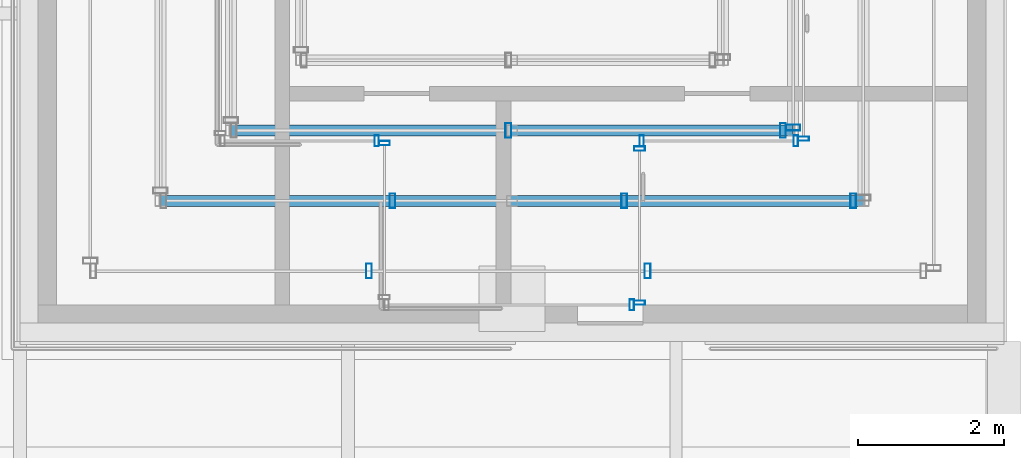
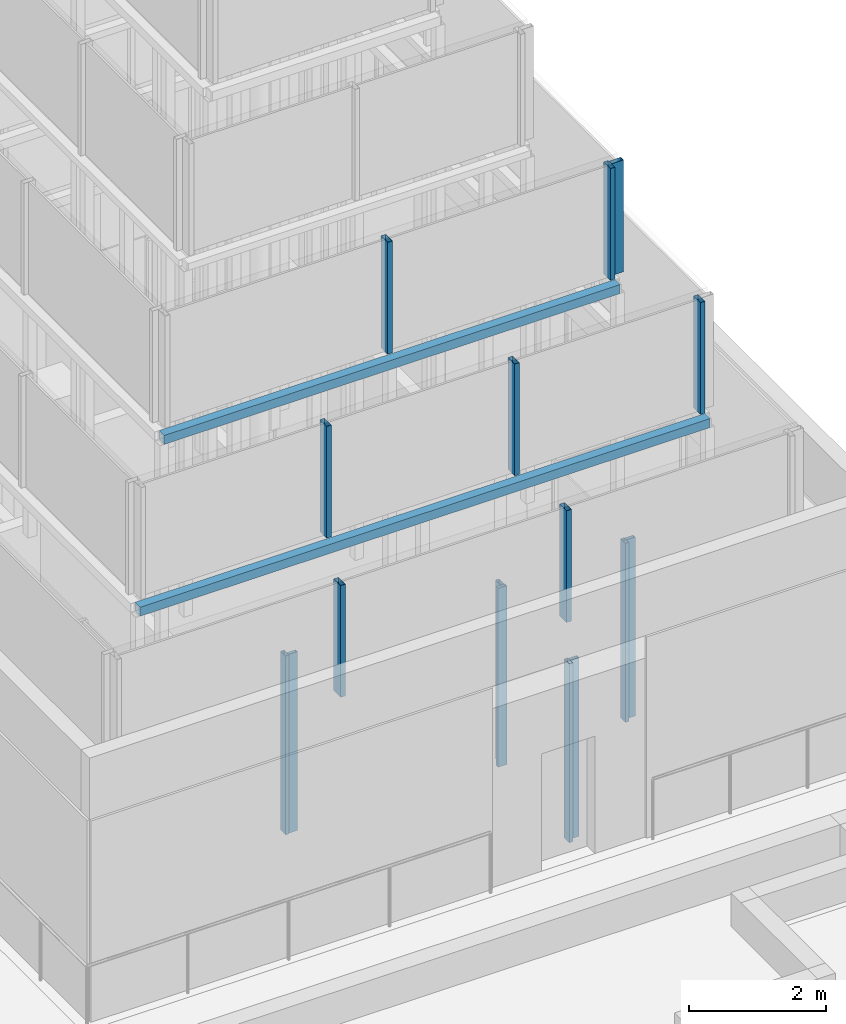
# One storey, part 35 of 62: 16 members, 2 beams, 10 elements without a shape of their own.
"""IFC4 building model written with IfcOpenShell, lengths in metres."""

import ifcopenshell
import ifcopenshell.guid

model = None  # the IFC model being written
_history = None  # IfcOwnerHistory: only IFC2X3 demands one
_inside = {}  # id of a spatial element -> (the spatial element, [elements in it])
_under = {}  # id of a project, library or spatial element -> (it, [spatial elements below it])
_declared = {}  # id of a project -> (the project, [libraries it declares])
_typed = {}  # id of a type object -> (the type object, [elements of that type])
_made_of = {}  # id of a material, layer set ... -> (it, [elements and type objects made of it])


def new_model(schema):
    """Start an empty IFC model of exactly this schema.

    Asked for "IFC4X3", IfcOpenShell would pick the latest addendum, in which some entities
    have other attributes; the version numbers below select the first issue.
    IFC2X3 requires an IfcOwnerHistory on every rooted entity: one is made here for all.
    """
    global model, _history
    if schema == "IFC4X3":
        model = ifcopenshell.file(schema_version=(4, 3, 0, 0))
    else:
        model = ifcopenshell.file(schema=schema)
    _inside.clear()
    _under.clear()
    _declared.clear()
    _typed.clear()
    _made_of.clear()
    _history = None
    if model.schema == "IFC2X3":
        org = make("IfcOrganization", Name="unknown")
        user = make(
            "IfcPersonAndOrganization",
            ThePerson=make("IfcPerson", FamilyName="unknown"),
            TheOrganization=org,
        )
        app = make(
            "IfcApplication",
            ApplicationDeveloper=org,
            Version="unknown",
            ApplicationFullName="unknown",
            ApplicationIdentifier="unknown",
        )
        _history = make(
            "IfcOwnerHistory",
            OwningUser=user,
            OwningApplication=app,
            ChangeAction="ADDED",
            CreationDate=0,
        )
    return model


def make(cls, **values):
    """One entity of the class cls with the attributes given. An attribute that is None is left unset."""
    return model.create_entity(
        cls, **{name: value for name, value in values.items() if value is not None}
    )


def rooted(cls, **values):
    """An entity with a GlobalId (a new one), such as an element, a storey or a relation."""
    return make(cls, GlobalId=ifcopenshell.guid.new(), OwnerHistory=_history, **values)


def si_unit(unit_type, name, prefix=None):
    """IfcSIUnit, for example si_unit("LENGTHUNIT", "METRE", prefix="MILLI")."""
    return make("IfcSIUnit", UnitType=unit_type, Prefix=prefix, Name=name)


def assignment(units):
    """IfcUnitAssignment: the units of a project."""
    return None if units is None else make("IfcUnitAssignment", Units=units)


def point(xyz):
    """IfcCartesianPoint."""
    return None if xyz is None else make("IfcCartesianPoint", Coordinates=xyz)


def direction(xyz):
    """IfcDirection."""
    return None if xyz is None else make("IfcDirection", DirectionRatios=xyz)


def frame(location, z_axis=None, x_axis=None):
    """IfcAxis2Placement3D, a coordinate frame: its origin and axes. An axis left out is left unset."""
    return make(
        "IfcAxis2Placement3D",
        Location=point(location),
        Axis=direction(z_axis),
        RefDirection=direction(x_axis),
    )


def frame_2d(location, x_axis=None):
    """IfcAxis2Placement2D, a coordinate frame in the plane: its origin and x axis."""
    return make(
        "IfcAxis2Placement2D", Location=point(location), RefDirection=direction(x_axis)
    )


def origin():
    """The frame at (0, 0, 0) with its axes left unset."""
    return frame((0.0, 0.0, 0.0))


def origin_2d():
    """The frame at (0, 0) in the plane with its x axis left unset."""
    return frame_2d((0.0, 0.0))


def place(relative_to, where):
    """IfcLocalPlacement: puts the frame where relative to a parent placement (None: the world)."""
    return make(
        "IfcLocalPlacement", PlacementRelTo=relative_to, RelativePlacement=where
    )


def context(
    kind, dimensions, precision=None, world=None, true_north=None, identifier=None
):
    """IfcGeometricRepresentationContext, for example the 3D "Model" context."""
    return make(
        "IfcGeometricRepresentationContext",
        ContextIdentifier=identifier,
        ContextType=kind,
        CoordinateSpaceDimension=dimensions,
        Precision=precision,
        WorldCoordinateSystem=world,
        TrueNorth=true_north,
    )


def subcontext(parent, identifier, kind, view, scale=None):
    """IfcGeometricRepresentationSubContext, for example "Body" below "Model"."""
    return make(
        "IfcGeometricRepresentationSubContext",
        ContextIdentifier=identifier,
        ContextType=kind,
        ParentContext=parent,
        TargetScale=scale,
        TargetView=view,
    )


def project(units=None, contexts=None):
    """IfcProject with its units and contexts."""
    return rooted(
        "IfcProject",
        Name="project",
        RepresentationContexts=contexts,
        UnitsInContext=assignment(units),
    )


def spatial(cls, under=None, at=None, **own):
    """A site, building, storey or space (cls), placed at a placement, below another one or the project."""
    s = rooted(cls, ObjectPlacement=at, **own)
    if under is not None:
        _under.setdefault(under.id(), (under, []))[1].append(s)
    return s


def profile(cls, at=None, kind="AREA", **sizes):
    """A parametric profile (cls). Its sizes go by their IFC names, for example OverallWidth=200.0."""
    return make(cls, ProfileType=kind, Position=at, **sizes)


def hollow_rectangle(**sizes):
    """IfcRectangleHollowProfileDef."""
    return profile("IfcRectangleHollowProfileDef", **sizes)


def extrude(swept, where, along, depth):
    """IfcExtrudedAreaSolid: the profile swept, set in the frame where, extruded along a direction by depth."""
    return make(
        "IfcExtrudedAreaSolid",
        SweptArea=swept,
        Position=where,
        ExtrudedDirection=direction(along),
        Depth=depth,
    )


def shape(context_of_items, identifier, shape_type, items):
    """IfcShapeRepresentation: the items that make up one representation, for example the "Body"."""
    return make(
        "IfcShapeRepresentation",
        ContextOfItems=context_of_items,
        RepresentationIdentifier=identifier,
        RepresentationType=shape_type,
        Items=items,
    )


def material(Name=None, Category=None):
    """IfcMaterial."""
    return make("IfcMaterial", Name=Name, Category=Category)


def material_profile(
    of_material, cross_section, Name=None, Category=None, Priority=None
):
    """IfcMaterialProfile: a cross section and its material."""
    return make(
        "IfcMaterialProfile",
        Name=Name,
        Material=of_material,
        Profile=cross_section,
        Priority=Priority,
        Category=Category,
    )


def profile_set(profiles, Name=None, composite=None):
    """IfcMaterialProfileSet."""
    return make(
        "IfcMaterialProfileSet",
        Name=Name,
        MaterialProfiles=profiles,
        CompositeProfile=composite,
    )


def made_of(thing, what):
    """Note that an element or type object is made of a material, layer set ...; save() writes the relation."""
    if what is not None:
        _made_of.setdefault(what.id(), (what, []))[1].append(thing)
    return thing


def type_object(cls, material=None, **own):
    """A type object (cls), such as IfcWallType, which elements share."""
    return made_of(rooted(cls, **own), material)


def element(
    cls,
    number,
    at=None,
    inside=None,
    cuts=None,
    type_object=None,
    material=None,
    context=None,
    identifier="Body",
    shape_type=None,
    held_by="IfcProductDefinitionShape",
    body=None,
    shapes=None,
    **own,
):
    """One element of the class cls, such as IfcWall. Its Tag is "e" and its number.

    at: its placement. inside: the storey or other place that contains it. cuts: it is an
    opening in that element (IfcRelVoidsElement). A single representation is given by context,
    identifier, shape_type and body (its items); several are given by shapes. held_by: the class
    of the entity that holds the representations. save() writes the other relations.
    """
    e = rooted(cls, Tag="e%d" % number, ObjectPlacement=at, **own)
    if body is not None:
        shapes = [shape(context, identifier, shape_type, body)]
    if shapes is not None:
        e.Representation = make(held_by, Representations=shapes)
    if inside is not None:
        _inside.setdefault(inside.id(), (inside, []))[1].append(e)
    if cuts is not None:
        rooted(
            "IfcRelVoidsElement", RelatingBuildingElement=cuts, RelatedOpeningElement=e
        )
    if type_object is not None:
        _typed.setdefault(type_object.id(), (type_object, []))[1].append(e)
    return made_of(e, material)


def aggregate(whole, parts):
    """IfcRelAggregates: a whole, such as a stair, and the parts it consists of."""
    return rooted("IfcRelAggregates", RelatingObject=whole, RelatedObjects=parts)


def save(model, path):
    """Write the relations noted so far, then the file.

    IfcRelAggregates (storeys below a building ...), IfcRelContainedInSpatialStructure (elements
    in a storey), IfcRelDefinesByType, IfcRelAssociatesMaterial and IfcRelDeclares: one each for
    every whole, place, type object, material and project.
    """
    for whole, parts in _under.values():
        aggregate(whole, parts)
    for where, things in _inside.values():
        rooted(
            "IfcRelContainedInSpatialStructure",
            RelatedElements=things,
            RelatingStructure=where,
        )
    for kind, things in _typed.values():
        rooted("IfcRelDefinesByType", RelatedObjects=things, RelatingType=kind)
    for what, things in _made_of.values():
        rooted("IfcRelAssociatesMaterial", RelatedObjects=things, RelatingMaterial=what)
    for by, libraries in _declared.values():
        rooted("IfcRelDeclares", RelatingContext=by, RelatedDefinitions=libraries)
    model.write(path)


model = new_model("IFC4")

# Units and contexts
model_context = context("Model", 3, precision=1e-05, world=origin(), true_north=direction((0.0, 1.0)))
body_context = subcontext(model_context, "Body", "Model", "MODEL_VIEW")
ifc_project = project(units=[si_unit("LENGTHUNIT", "METRE"), si_unit("AREAUNIT", "SQUARE_METRE"), si_unit("VOLUMEUNIT", "CUBIC_METRE"), si_unit("PLANEANGLEUNIT", "RADIAN"), si_unit("MASSUNIT", "GRAM", prefix="KILO")], contexts=[model_context])

# Site, building, storey
site_placement = place(None, origin())
site = spatial("IfcSite", under=ifc_project, at=site_placement, CompositionType="ELEMENT")
building_placement = place(site_placement, origin())
building = spatial("IfcBuilding", under=site, at=building_placement, Name="Altepetl Exchange Towers", CompositionType="ELEMENT")
storey_placement = place(building_placement, frame((0.0, 0.0, 210.0)))
storey = spatial("IfcBuildingStorey", under=building, at=storey_placement, Name="L53", CompositionType="ELEMENT", Elevation=210.0)

# Beams
ifc_material_1 = material(Name="Steel S355", Category="steel")
ifc_material_profile_1 = material_profile(ifc_material_1, hollow_rectangle(XDim=0.14990234375, YDim=0.159912109375, WallThickness=0.008056640625, at=origin_2d()), Name="RHS 160x150x8")
ifc_profile_set_1 = profile_set([ifc_material_profile_1], Name="Steel S355")
beam_type = type_object("IfcBeamType", Name="Crown ring beam hollow section 150x160x8", PredefinedType="BEAM", material=ifc_profile_set_1)
beam_1_placement = place(storey_placement, frame((105.428466796875, 37.928466796875, 5.52001953125), z_axis=(1.0, 0.0, 0.0), x_axis=(0.0, 1.0, 0.0)))
element("IfcBeam", 1, at=beam_1_placement, inside=storey, type_object=beam_type, Name="Crown ring beam", PredefinedType="BEAM", context=body_context, shape_type="SweptSolid", body=[
    extrude(hollow_rectangle(XDim=0.14990234375, YDim=0.159912109375, WallThickness=0.008056640625, at=origin_2d()), origin(), (0.0, 0.0, 1.0), 9.64306640625),
])
beam_2_placement = place(storey_placement, frame((106.392822265625, 38.892822265625, 7.669921875), z_axis=(1.0, 0.0, 0.0), x_axis=(0.0, 1.0, 0.0)))
element("IfcBeam", 2, at=beam_2_placement, inside=storey, type_object=beam_type, Name="Crown ring beam", PredefinedType="BEAM", context=body_context, shape_type="SweptSolid", body=[
    extrude(hollow_rectangle(XDim=0.14990234375, YDim=0.159912109375, WallThickness=0.008056640625, at=origin_2d()), origin(), (0.0, 0.0, 1.0), 7.71435546875),
])

# Curtain wall, member
ifc_material_2 = material(Name="Aluminium 6063-T6 glazing", Category="aluminium")
curtain_wall_type_1 = type_object("IfcCurtainWallType", Name="Loggia glazing system", PredefinedType="NOTDEFINED", material=ifc_material_2)
curtain_wall_1_placement = place(storey_placement, origin())
curtain_wall_1 = element("IfcCurtainWall", 3, at=curtain_wall_1_placement, inside=storey, type_object=curtain_wall_type_1, Name="CW1 run", PredefinedType="NOTDEFINED")
ifc_material_3 = material(Name="Aluminium 6063-T6", Category="aluminium")
ifc_material_profile_2 = material_profile(ifc_material_3, hollow_rectangle(XDim=0.06005859375, YDim=0.14990234375, WallThickness=0.0029296875, at=origin_2d()), Name="Mullion 60x150 aluminium")
ifc_profile_set_2 = profile_set([ifc_material_profile_2], Name="Aluminium 6063-T6")
member_type_1 = type_object("IfcMemberType", Name="Mullion 60x150 aluminium", PredefinedType="MULLION", material=ifc_profile_set_2)
member_1_placement = place(storey_placement, frame((108.39501953125, 38.75, 0.0)))
member_1 = element("IfcMember", 4, at=member_1_placement, type_object=member_type_1, Name="MU1 mullion", PredefinedType="MULLION", context=body_context, shape_type="SweptSolid", body=[
    extrude(hollow_rectangle(XDim=0.06005859375, YDim=0.14990234375, WallThickness=0.0029296875, at=origin_2d()), origin(), (0.0, 0.0, 1.0), 3.199951171875),
])
aggregate(curtain_wall_1, [member_1])

curtain_wall_2_placement = place(storey_placement, origin())
curtain_wall_2 = element("IfcCurtainWall", 5, at=curtain_wall_2_placement, inside=storey, type_object=curtain_wall_type_1, Name="CW1 run", PredefinedType="NOTDEFINED")
member_2_placement = place(storey_placement, frame((108.5, 38.719970703125, 0.0), z_axis=(0.0, 0.0, 1.0), x_axis=(0.0, -1.0, 0.0)))
member_2 = element("IfcMember", 6, at=member_2_placement, type_object=member_type_1, Name="MU1 mullion", PredefinedType="MULLION", context=body_context, shape_type="SweptSolid", body=[
    extrude(hollow_rectangle(XDim=0.06005859375, YDim=0.14990234375, WallThickness=0.0029296875, at=origin_2d()), origin(), (0.0, 0.0, 1.0), 3.199951171875),
])
aggregate(curtain_wall_2, [member_2])

curtain_wall_3_placement = place(storey_placement, origin())
curtain_wall_3 = element("IfcCurtainWall", 7, at=curtain_wall_3_placement, inside=storey, type_object=curtain_wall_type_1, Name="CW1 run", PredefinedType="NOTDEFINED")
member_3_placement = place(storey_placement, frame((111.89501953125, 36.5, 0.0)))
member_3 = element("IfcMember", 8, at=member_3_placement, type_object=member_type_1, Name="MU1 mullion", PredefinedType="MULLION", context=body_context, shape_type="SweptSolid", body=[
    extrude(hollow_rectangle(XDim=0.06005859375, YDim=0.14990234375, WallThickness=0.0029296875, at=origin_2d()), origin(), (0.0, 0.0, 1.0), 3.199951171875),
])
aggregate(curtain_wall_3, [member_3])

# Curtain wall, members
curtain_wall_4_placement = place(storey_placement, origin())
curtain_wall_4 = element("IfcCurtainWall", 9, at=curtain_wall_4_placement, inside=storey, type_object=curtain_wall_type_1, Name="CW1 run", PredefinedType="NOTDEFINED")
member_4_placement = place(storey_placement, frame((112.0, 36.530029296875, 0.0), z_axis=(0.0, 0.0, 1.0), x_axis=(0.0, 1.0, 0.0)))
member_4 = element("IfcMember", 10, at=member_4_placement, type_object=member_type_1, Name="MU1 mullion", PredefinedType="MULLION", context=body_context, shape_type="SweptSolid", body=[
    extrude(hollow_rectangle(XDim=0.06005859375, YDim=0.14990234375, WallThickness=0.0029296875, at=origin_2d()), origin(), (0.0, 0.0, 1.0), 3.199951171875),
])
member_5_placement = place(storey_placement, frame((112.0, 38.64501953125, 0.0), z_axis=(0.0, 0.0, 1.0), x_axis=(0.0, 1.0, 0.0)))
member_5 = element("IfcMember", 11, at=member_5_placement, type_object=member_type_1, Name="MU1 mullion", PredefinedType="MULLION", context=body_context, shape_type="SweptSolid", body=[
    extrude(hollow_rectangle(XDim=0.06005859375, YDim=0.14990234375, WallThickness=0.0029296875, at=origin_2d()), origin(), (0.0, 0.0, 1.0), 3.199951171875),
])
aggregate(curtain_wall_4, [member_4, member_5])

curtain_wall_5_placement = place(storey_placement, origin())
curtain_wall_5 = element("IfcCurtainWall", 12, at=curtain_wall_5_placement, inside=storey, type_object=curtain_wall_type_1, Name="CW1 run", PredefinedType="NOTDEFINED")
member_6_placement = place(storey_placement, frame((112.030029296875, 38.75, 0.0)))
member_6 = element("IfcMember", 13, at=member_6_placement, type_object=member_type_1, Name="MU1 mullion", PredefinedType="MULLION", context=body_context, shape_type="SweptSolid", body=[
    extrude(hollow_rectangle(XDim=0.06005859375, YDim=0.14990234375, WallThickness=0.0029296875, at=origin_2d()), origin(), (0.0, 0.0, 1.0), 3.199951171875),
])
member_7_placement = place(storey_placement, frame((114.14501953125, 38.75, 0.0)))
member_7 = element("IfcMember", 14, at=member_7_placement, type_object=member_type_1, Name="MU1 mullion", PredefinedType="MULLION", context=body_context, shape_type="SweptSolid", body=[
    extrude(hollow_rectangle(XDim=0.06005859375, YDim=0.14990234375, WallThickness=0.0029296875, at=origin_2d()), origin(), (0.0, 0.0, 1.0), 3.199951171875),
])
aggregate(curtain_wall_5, [member_6, member_7])

# Curtain wall, member
curtain_wall_6_placement = place(storey_placement, origin())
curtain_wall_6 = element("IfcCurtainWall", 15, at=curtain_wall_6_placement, inside=storey, type_object=curtain_wall_type_1, Name="CW1 run", PredefinedType="NOTDEFINED")
member_8_placement = place(storey_placement, frame((114.25, 38.780029296875, 0.0), z_axis=(0.0, 0.0, 1.0), x_axis=(0.0, 1.0, 0.0)))
member_8 = element("IfcMember", 16, at=member_8_placement, type_object=member_type_1, Name="MU1 mullion", PredefinedType="MULLION", context=body_context, shape_type="SweptSolid", body=[
    extrude(hollow_rectangle(XDim=0.06005859375, YDim=0.14990234375, WallThickness=0.0029296875, at=origin_2d()), origin(), (0.0, 0.0, 1.0), 3.199951171875),
])
aggregate(curtain_wall_6, [member_8])

# Curtain wall, members
curtain_wall_type_2 = type_object("IfcCurtainWallType", Name="Crown glazing system", PredefinedType="NOTDEFINED", material=ifc_material_2)
curtain_wall_7_placement = place(storey_placement, origin())
curtain_wall_7 = element("IfcCurtainWall", 17, at=curtain_wall_7_placement, inside=storey, type_object=curtain_wall_type_2, Name="CW7 run", PredefinedType="NOTDEFINED")
ifc_material_profile_3 = material_profile(ifc_material_3, hollow_rectangle(XDim=0.080078125, YDim=0.199951171875, WallThickness=0.0029296875, at=origin_2d()), Name="Mullion 80x200 hollow aluminium")
ifc_profile_set_3 = profile_set([ifc_material_profile_3], Name="Aluminium 6063-T6")
member_type_2 = type_object("IfcMemberType", Name="Mullion 80x200 hollow aluminium", PredefinedType="MULLION", material=ifc_profile_set_3)
member_9_placement = place(storey_placement, frame((108.2880859375, 36.96435546875, 3.60009765625)))
member_9 = element("IfcMember", 18, at=member_9_placement, type_object=member_type_2, Name="MU5 mullion", PredefinedType="MULLION", context=body_context, shape_type="SweptSolid", body=[
    extrude(hollow_rectangle(XDim=0.080078125, YDim=0.199951171875, WallThickness=0.0029296875, at=origin_2d()), origin(), (0.0, 0.0, 1.0), 2.0),
])
member_10_placement = place(storey_placement, frame((112.11181640625, 36.96435546875, 3.60009765625)))
member_10 = element("IfcMember", 19, at=member_10_placement, type_object=member_type_2, Name="MU5 mullion", PredefinedType="MULLION", context=body_context, shape_type="SweptSolid", body=[
    extrude(hollow_rectangle(XDim=0.080078125, YDim=0.199951171875, WallThickness=0.0029296875, at=origin_2d()), origin(), (0.0, 0.0, 1.0), 2.0),
])
aggregate(curtain_wall_7, [member_9, member_10])

curtain_wall_8_placement = place(storey_placement, origin())
curtain_wall_8 = element("IfcCurtainWall", 20, at=curtain_wall_8_placement, inside=storey, type_object=curtain_wall_type_2, Name="CW7 run", PredefinedType="NOTDEFINED")
member_11_placement = place(storey_placement, frame((108.609619140625, 37.928466796875, 5.75)))
member_11 = element("IfcMember", 21, at=member_11_placement, type_object=member_type_2, Name="MU5 mullion", PredefinedType="MULLION", context=body_context, shape_type="SweptSolid", body=[
    extrude(hollow_rectangle(XDim=0.080078125, YDim=0.199951171875, WallThickness=0.0029296875, at=origin_2d()), origin(), (0.0, 0.0, 1.0), 2.0),
])
member_12_placement = place(storey_placement, frame((111.79052734375, 37.928466796875, 5.75)))
member_12 = element("IfcMember", 22, at=member_12_placement, type_object=member_type_2, Name="MU5 mullion", PredefinedType="MULLION", context=body_context, shape_type="SweptSolid", body=[
    extrude(hollow_rectangle(XDim=0.080078125, YDim=0.199951171875, WallThickness=0.0029296875, at=origin_2d()), origin(), (0.0, 0.0, 1.0), 2.0),
])
member_13_placement = place(storey_placement, frame((114.931396484375, 37.928466796875, 5.75)))
member_13 = element("IfcMember", 23, at=member_13_placement, type_object=member_type_2, Name="MU5 mullion", PredefinedType="MULLION", context=body_context, shape_type="SweptSolid", body=[
    extrude(hollow_rectangle(XDim=0.080078125, YDim=0.199951171875, WallThickness=0.0029296875, at=origin_2d()), origin(), (0.0, 0.0, 1.0), 2.0),
])
aggregate(curtain_wall_8, [member_11, member_12, member_13])

curtain_wall_9_placement = place(storey_placement, origin())
curtain_wall_9 = element("IfcCurtainWall", 24, at=curtain_wall_9_placement, inside=storey, type_object=curtain_wall_type_2, Name="CW7 run", PredefinedType="NOTDEFINED")
member_14_placement = place(storey_placement, frame((110.199951171875, 38.892822265625, 7.89990234375)))
member_14 = element("IfcMember", 25, at=member_14_placement, type_object=member_type_2, Name="MU5 mullion", PredefinedType="MULLION", context=body_context, shape_type="SweptSolid", body=[
    extrude(hollow_rectangle(XDim=0.080078125, YDim=0.199951171875, WallThickness=0.0029296875, at=origin_2d()), origin(), (0.0, 0.0, 1.0), 2.0),
])
member_15_placement = place(storey_placement, frame((113.967041015625, 38.892822265625, 7.89990234375)))
member_15 = element("IfcMember", 26, at=member_15_placement, type_object=member_type_2, Name="MU5 mullion", PredefinedType="MULLION", context=body_context, shape_type="SweptSolid", body=[
    extrude(hollow_rectangle(XDim=0.080078125, YDim=0.199951171875, WallThickness=0.0029296875, at=origin_2d()), origin(), (0.0, 0.0, 1.0), 2.0),
])
aggregate(curtain_wall_9, [member_14, member_15])

# Curtain wall, member
curtain_wall_10_placement = place(storey_placement, origin())
curtain_wall_10 = element("IfcCurtainWall", 27, at=curtain_wall_10_placement, inside=storey, type_object=curtain_wall_type_2, Name="CW7 run", PredefinedType="NOTDEFINED")
member_16_placement = place(storey_placement, frame((114.107177734375, 38.932861328125, 7.89990234375), z_axis=(0.0, 0.0, 1.0), x_axis=(0.0, 1.0, 0.0)))
member_16 = element("IfcMember", 28, at=member_16_placement, type_object=member_type_2, Name="MU5 mullion", PredefinedType="MULLION", context=body_context, shape_type="SweptSolid", body=[
    extrude(hollow_rectangle(XDim=0.080078125, YDim=0.199951171875, WallThickness=0.0029296875, at=origin_2d()), origin(), (0.0, 0.0, 1.0), 2.0),
])
aggregate(curtain_wall_10, [member_16])

save(model, "model.ifc")
